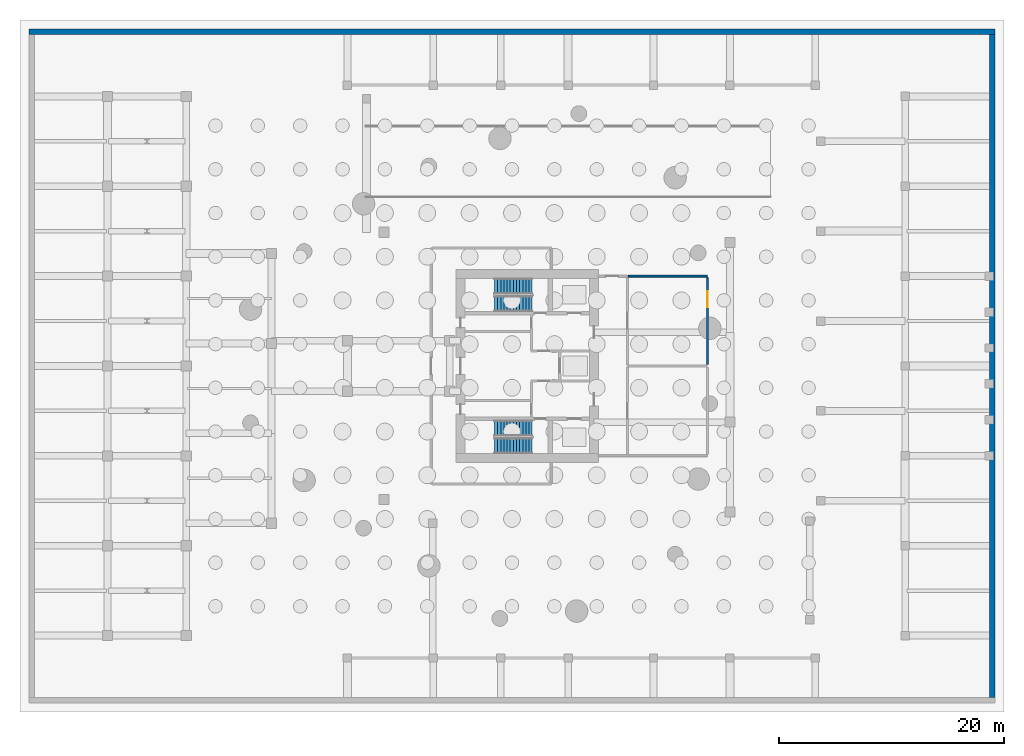
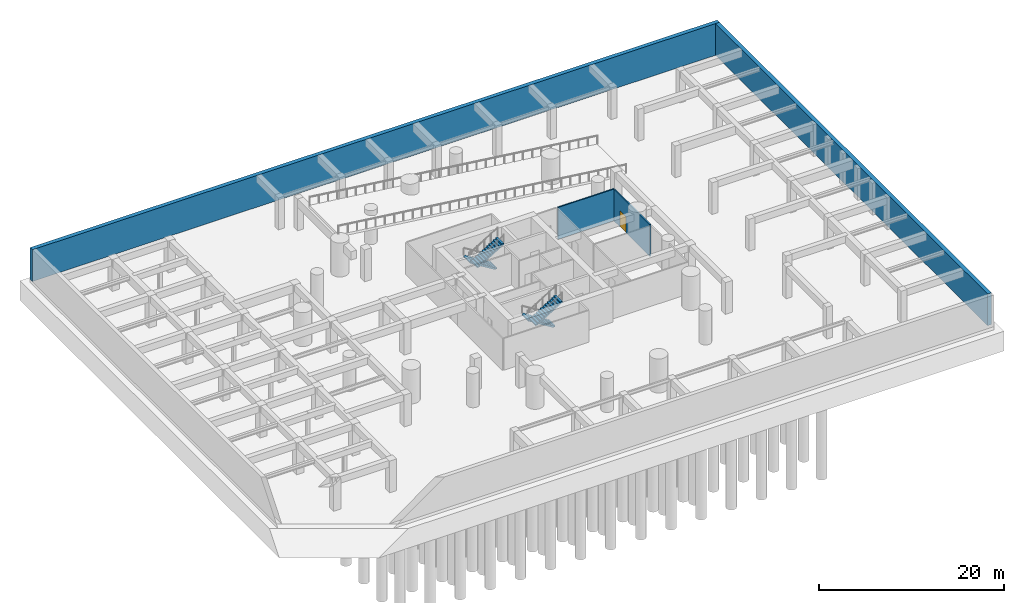
# One storey, part 8 of 11: 4 stair flights, 4 walls, 1 door, 1 opening, 2 elements without a shape of their own.
"""IFC4 building model written with IfcOpenShell, lengths in metres."""

from ifc_helpers import new_model, si_unit, direction, frame, frame_2d, origin, place, context, subcontext, project, spatial, polyline, rectangle, outline, extrude, source, transform, mapped, material, layer, layer_set, type_object, element, fill, aggregate, save


model = new_model("IFC4")

# Units and contexts
model_context = context("Model", 3, precision=1e-05, world=origin(), true_north=direction((0.0, 1.0)))
body_context = subcontext(model_context, "Body", "Model", "MODEL_VIEW")
ifc_project = project(units=[si_unit("LENGTHUNIT", "METRE"), si_unit("AREAUNIT", "SQUARE_METRE"), si_unit("VOLUMEUNIT", "CUBIC_METRE"), si_unit("PLANEANGLEUNIT", "RADIAN"), si_unit("MASSUNIT", "GRAM", prefix="KILO")], contexts=[model_context])

# Site, building, storey
site_placement = place(None, origin())
site = spatial("IfcSite", under=ifc_project, at=site_placement, CompositionType="ELEMENT")
building_placement = place(site_placement, origin())
building = spatial("IfcBuilding", under=site, at=building_placement, Name="Qafzar Sky-Pleat Residences", CompositionType="ELEMENT")
storey_placement = place(building_placement, frame((0.0, 0.0, -8.699951171875)))
storey = spatial("IfcBuildingStorey", under=building, at=storey_placement, Name="B02", CompositionType="ELEMENT", Elevation=-8.699951171875)

# Wall
ifc_material_1 = material(Name="Acoustic gypsum plasterboard partition", Category="gypsum")
ifc_layer_1 = layer(ifc_material_1, 0.159912109375)
ifc_layer_set_1 = layer_set([ifc_layer_1], Name="Acoustic gypsum plasterboard partition")
wall_type_1 = type_object("IfcWallType", Name="PART-COR-160", PredefinedType="PARTITIONING", material=ifc_layer_set_1)
wall_1_placement = place(storey_placement, frame((39.35009765625, 34.0, 0.0), z_axis=(0.0, 0.0, 1.0), x_axis=(1.0, 0.0, 0.0)))
element("IfcWall", 1, at=wall_1_placement, inside=storey, type_object=wall_type_1, Name="B02 Partition Wall PART-B02-PW-008", PredefinedType="PARTITIONING", context=body_context, shape_type="SweptSolid", body=[
    extrude(rectangle(XDim=7.0498046875, YDim=0.159912109375, at=frame_2d((3.52490234375, 0.0))), origin(), (0.0, 0.0, 1.0), 4.199951171875),
])

# Wall, opening, door
wall_2_placement = place(storey_placement, frame((46.39990234375, 26.14990234375, 0.0), z_axis=(0.0, 0.0, 1.0), x_axis=(0.0, 1.0, 0.0)))
wall_2 = element("IfcWall", 2, at=wall_2_placement, inside=storey, type_object=wall_type_1, Name="B02 Partition Wall PART-B02-PW-013", PredefinedType="PARTITIONING", context=body_context, shape_type="SweptSolid", body=[
    extrude(rectangle(XDim=7.68212890625, YDim=0.159912109375, at=frame_2d((3.841064453125, 0.0))), origin(), (0.0, 0.0, 1.0), 4.199951171875),
])
opening_placement = place(wall_2_placement, frame((5.08837890625, 0.0, 0.0)))
opening = element("IfcOpeningElement", 3, at=opening_placement, cuts=wall_2, Name="Opening ID-10", PredefinedType="OPENING", context=body_context, shape_type="SweptSolid", body=[
    extrude(rectangle(XDim=1.39990234375, YDim=2.14990234375, at=frame_2d((0.699951171875, 1.074951171875))), frame((0.0, 0.08984375, 0.0), z_axis=(0.0, -1.0, 0.0), x_axis=(1.0, 0.0, 0.0)), (0.0, 0.0, 1.0), 0.179931640625),
])
ifc_material_2 = material(Name="Timber-faced fire door", Category="wood")
door_type = type_object("IfcDoorType", Name="DR-PLANT-1400", OperationType="DOUBLE_DOOR_SINGLE_SWING", PredefinedType="DOOR", material=ifc_material_2)
shared_shape_1 = source(origin(), body_context, "Body", "SweptSolid", [
    extrude(rectangle(XDim=1.39990234375, YDim=2.14990234375, at=frame_2d((0.699951171875, 1.074951171875))), frame((0.0, 0.02490234375, 0.0), z_axis=(0.0, -1.0, 0.0), x_axis=(1.0, 0.0, 0.0)), (0.0, 0.0, 1.0), 0.050048828125),
])
door_placement = place(opening_placement, origin())
door = element("IfcDoor", 4, at=door_placement, inside=storey, type_object=door_type, Name="B02 Service Bay Car Park Door", OperationType="DOUBLE_DOOR_SINGLE_SWING", OverallHeight=2.14990234375, OverallWidth=1.39990234375, PredefinedType="DOOR", context=body_context, shape_type="MappedRepresentation", body=[
    mapped(shared_shape_1, transform((0.0, 0.0, 0.0), x_axis=(1.0, 0.0, 0.0), y_axis=(0.0, 1.0, 0.0), z_axis=(0.0, 0.0, 1.0), scale=1.0)),
])
fill(opening, door)

# Walls
ifc_material_3 = material(Name="Concrete C60/75", Category="concrete")
ifc_layer_2 = layer(ifc_material_3, 0.5)
ifc_layer_set_2 = layer_set([ifc_layer_2], Name="Concrete C60/75")
wall_type_2 = type_object("IfcWallType", Name="WALL-RET-500", PredefinedType="SOLIDWALL", material=ifc_layer_set_2)
wall_3_placement = place(storey_placement, frame((72.0, 55.75, 0.0), z_axis=(0.0, 0.0, 1.0), x_axis=(-1.0, 0.0, 0.0)))
element("IfcWall", 5, at=wall_3_placement, inside=storey, type_object=wall_type_2, Name="B02 RET wall N", PredefinedType="SOLIDWALL", context=body_context, shape_type="SweptSolid", body=[
    extrude(rectangle(XDim=86.0, YDim=0.5, at=frame_2d((43.0, 0.0))), origin(), (0.0, 0.0, 1.0), 4.199951171875),
])
wall_4_placement = place(storey_placement, frame((71.75, -3.5, 0.0), z_axis=(0.0, 0.0, 1.0), x_axis=(0.0, 1.0, 0.0)))
element("IfcWall", 6, at=wall_4_placement, inside=storey, type_object=wall_type_2, Name="B02 RET wall E", PredefinedType="SOLIDWALL", context=body_context, shape_type="SweptSolid", body=[
    extrude(rectangle(XDim=59.0, YDim=0.5, at=frame_2d((29.5, 0.0))), origin(), (0.0, 0.0, 1.0), 4.199951171875),
])

# Stair, stair flights
ifc_material_4 = material(Name="Concrete C40/50", Category="concrete")
stair_type = type_object("IfcStairType", Name="STAIR-H450", PredefinedType="HALF_TURN_STAIR", material=ifc_material_4)
stair_1_placement = place(storey_placement, origin())
stair_1 = element("IfcStair", 7, at=stair_1_placement, inside=storey, type_object=stair_type, Name="B02 Protected Exit Stair ST1", PredefinedType="HALF_TURN_STAIR")
stair_flight_type = type_object("IfcStairFlightType", Name="FLIGHT-H450", PredefinedType="STRAIGHT", material=ifc_material_4)
shared_shape_2 = source(origin(), body_context, "Body", "SweptSolid", [
    extrude(outline(polyline([(0.0, 0.0), (0.0, 0.173095703125), (0.280029296875, 0.173095703125), (0.280029296875, 0.34619140625), (0.56005859375, 0.34619140625), (0.56005859375, 0.519287109375), (0.840087890625, 0.519287109375), (0.840087890625, 0.6923828125), (1.1201171875, 0.6923828125), (1.1201171875, 0.865478515625), (1.39990234375, 0.865478515625), (1.39990234375, 1.03857421875), (1.679931640625, 1.03857421875), (1.679931640625, 1.21142578125), (1.9599609375, 1.21142578125), (1.9599609375, 1.384521484375), (2.239990234375, 1.384521484375), (2.239990234375, 1.5576171875), (2.52001953125, 1.5576171875), (2.52001953125, 1.730712890625), (2.800048828125, 1.730712890625), (2.800048828125, 1.90380859375), (3.080078125, 1.90380859375), (3.080078125, 2.076904296875), (3.360107421875, 2.076904296875), (3.360107421875, 2.25), (3.360107421875, 1.900634765625), (0.28515625, 0.0), (0.0, 0.0)])), frame((0.0, 0.699951171875, 0.0), z_axis=(0.0, -1.0, 0.0), x_axis=(1.0, 0.0, 0.0)), (0.0, 0.0, 1.0), 1.39990234375),
])
stair_flight_1_placement = place(storey_placement, frame((30.800048828125, 20.449951171875, 0.0), z_axis=(0.0, 0.0, 1.0), x_axis=(-1.0, 0.0, 0.0)))
stair_flight_1 = element("IfcStairFlight", 8, at=stair_flight_1_placement, type_object=stair_flight_type, Name="ST1 flight 1", NumberOfRisers=13, NumberOfTreads=12, PredefinedType="STRAIGHT", RiserHeight=0.173076923, TreadLength=0.28, context=body_context, shape_type="MappedRepresentation", body=[
    mapped(shared_shape_2, transform((0.0, 0.0, 0.0), x_axis=(1.0, 0.0, 0.0), y_axis=(0.0, 1.0, 0.0), z_axis=(0.0, 0.0, 1.0), scale=1.0)),
])
stair_flight_2_placement = place(storey_placement, frame((27.43994140625, 18.89990234375, 2.25), z_axis=(0.0, 0.0, 1.0), x_axis=(1.0, 0.0, 0.0)))
stair_flight_2 = element("IfcStairFlight", 9, at=stair_flight_2_placement, type_object=stair_flight_type, Name="ST1 flight 2", NumberOfRisers=13, NumberOfTreads=12, PredefinedType="STRAIGHT", RiserHeight=0.173076923, TreadLength=0.28, context=body_context, shape_type="MappedRepresentation", body=[
    mapped(shared_shape_2, transform((0.0, 0.0, 0.0), x_axis=(1.0, 0.0, 0.0), y_axis=(0.0, 1.0, 0.0), z_axis=(0.0, 0.0, 1.0), scale=1.0)),
])
aggregate(stair_1, [stair_flight_1, stair_flight_2])

stair_2_placement = place(storey_placement, origin())
stair_2 = element("IfcStair", 10, at=stair_2_placement, inside=storey, type_object=stair_type, Name="B02 Protected Exit Stair ST2", PredefinedType="HALF_TURN_STAIR")
stair_flight_3_placement = place(storey_placement, frame((30.800048828125, 33.10009765625, 0.0), z_axis=(0.0, 0.0, 1.0), x_axis=(-1.0, 0.0, 0.0)))
stair_flight_3 = element("IfcStairFlight", 11, at=stair_flight_3_placement, type_object=stair_flight_type, Name="ST2 flight 1", NumberOfRisers=13, NumberOfTreads=12, PredefinedType="STRAIGHT", RiserHeight=0.173076923, TreadLength=0.28, context=body_context, shape_type="MappedRepresentation", body=[
    mapped(shared_shape_2, transform((0.0, 0.0, 0.0), x_axis=(1.0, 0.0, 0.0), y_axis=(0.0, 1.0, 0.0), z_axis=(0.0, 0.0, 1.0), scale=1.0)),
])
stair_flight_4_placement = place(storey_placement, frame((27.43994140625, 31.550048828125, 2.25), z_axis=(0.0, 0.0, 1.0), x_axis=(1.0, 0.0, 0.0)))
stair_flight_4 = element("IfcStairFlight", 12, at=stair_flight_4_placement, type_object=stair_flight_type, Name="ST2 flight 2", NumberOfRisers=13, NumberOfTreads=12, PredefinedType="STRAIGHT", RiserHeight=0.173076923, TreadLength=0.28, context=body_context, shape_type="MappedRepresentation", body=[
    mapped(shared_shape_2, transform((0.0, 0.0, 0.0), x_axis=(1.0, 0.0, 0.0), y_axis=(0.0, 1.0, 0.0), z_axis=(0.0, 0.0, 1.0), scale=1.0)),
])
aggregate(stair_2, [stair_flight_3, stair_flight_4])

save(model, "model.ifc")
